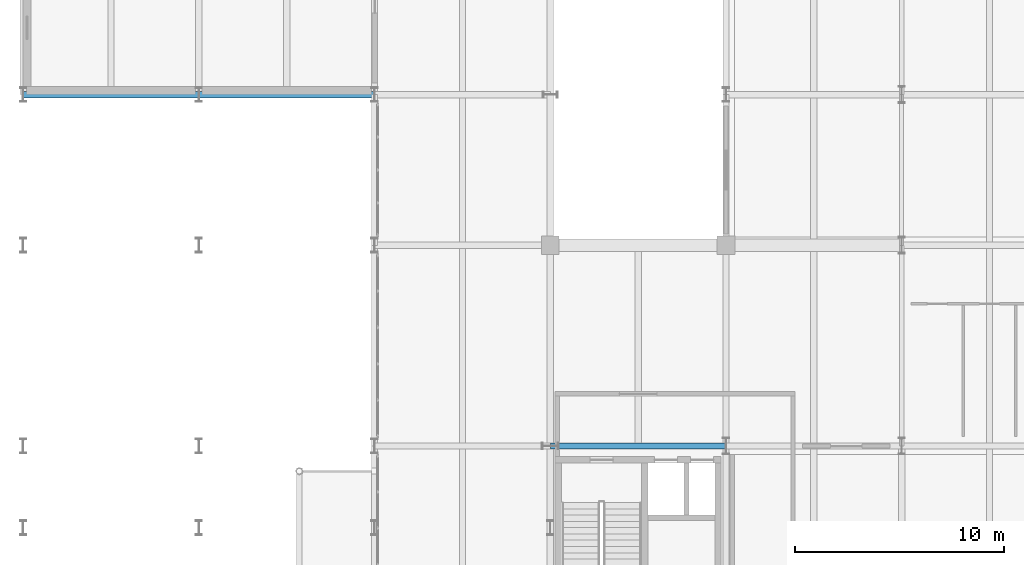
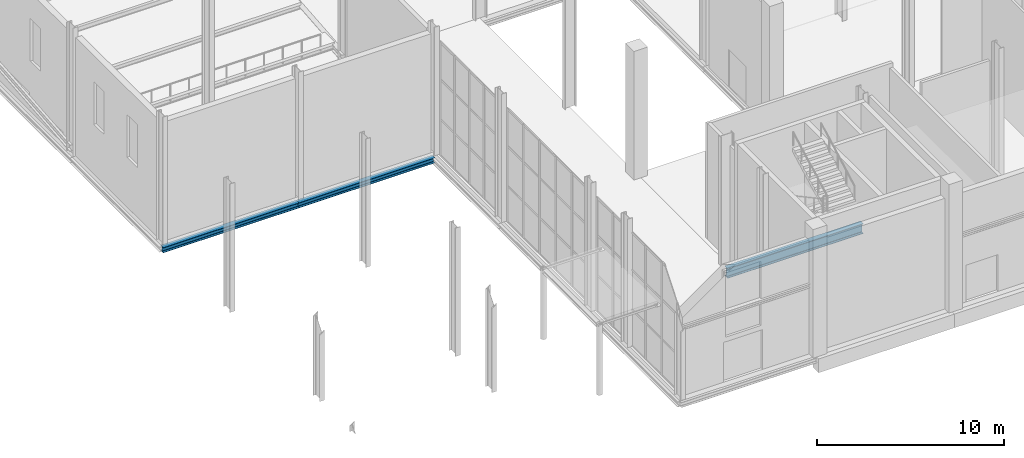
# One storey, part 18 of 131: 3 beams.
"""IFC4 building model written with IfcOpenShell, lengths in metres."""

from ifc_helpers import new_model, si_unit, direction, frame, origin, origin_2d, place, context, subcontext, project, spatial, i_section, extrude, material, material_profile, profile_set, type_object, element, save


model = new_model("IFC4")

# Units and contexts
model_context = context("Model", 3, precision=1e-05, world=origin(), true_north=direction((0.0, 1.0)))
body_context = subcontext(model_context, "Body", "Model", "MODEL_VIEW")
ifc_project = project(units=[si_unit("LENGTHUNIT", "METRE"), si_unit("AREAUNIT", "SQUARE_METRE"), si_unit("VOLUMEUNIT", "CUBIC_METRE"), si_unit("PLANEANGLEUNIT", "RADIAN"), si_unit("MASSUNIT", "GRAM", prefix="KILO")], contexts=[model_context])

# Site, building, storey
site_placement = place(None, origin())
site = spatial("IfcSite", under=ifc_project, at=site_placement, CompositionType="ELEMENT")
building_placement = place(site_placement, origin())
building = spatial("IfcBuilding", under=site, at=building_placement, Name="Veltarok Museum of Natural Sciences", CompositionType="ELEMENT")
storey_placement = place(building_placement, origin())
storey = spatial("IfcBuildingStorey", under=building, at=storey_placement, Name="L00", CompositionType="ELEMENT", Elevation=0.0)

# Beams
ifc_material = material(Name="Steel S355J2", Category="steel")
ifc_material_profile_1 = material_profile(ifc_material, i_section(OverallWidth=0.300048828125, OverallDepth=0.64990234375, WebThickness=0.01611328125, FlangeThickness=0.031005859375, FilletRadius=0.027099609375, at=origin_2d()), Name="HEB 650")
ifc_profile_set_1 = profile_set([ifc_material_profile_1], Name="Steel S355J2")
beam_type_1 = type_object("IfcBeamType", Name="Heavy Spine Girder HEB 650", PredefinedType="BEAM", material=ifc_profile_set_1)
beam_1_placement = place(storey_placement, frame((31.60009765625, 9.60009765625, -0.625), z_axis=(1.0, 0.0, 0.0), x_axis=(0.0, 1.0, 0.0)))
element("IfcBeam", 1, at=beam_1_placement, inside=storey, type_object=beam_type_1, Name="Beam BM-G11 L00 4-5/B", PredefinedType="BEAM", context=body_context, shape_type="SweptSolid", body=[
    extrude(i_section(OverallWidth=0.300048828125, OverallDepth=0.64990234375, WebThickness=0.01611328125, FlangeThickness=0.031005859375, FilletRadius=0.027099609375, at=origin_2d()), origin(), (0.0, 0.0, 1.0), 8.39990234375),
])
ifc_material_profile_2 = material_profile(ifc_material, i_section(OverallWidth=0.300048828125, OverallDepth=0.340087890625, WebThickness=0.011962890625, FlangeThickness=0.021484375, FilletRadius=0.027099609375, at=origin_2d()), Name="HEB 340")
ifc_profile_set_2 = profile_set([ifc_material_profile_2], Name="Steel S355J2")
beam_type_2 = type_object("IfcBeamType", Name="Perimeter Bridge Spandrel HEB 340", PredefinedType="SPANDREL", material=ifc_profile_set_2)
beam_2_placement = place(storey_placement, frame((6.39990234375, 26.39990234375, -0.469970703125), z_axis=(1.0, 0.0, 0.0), x_axis=(0.0, 1.0, 0.0)))
element("IfcBeam", 2, at=beam_2_placement, inside=storey, type_object=beam_type_2, Name="Beam BM-SP07 L00 1-2/D", PredefinedType="SPANDREL", context=body_context, shape_type="SweptSolid", body=[
    extrude(i_section(OverallWidth=0.300048828125, OverallDepth=0.340087890625, WebThickness=0.011962890625, FlangeThickness=0.021484375, FilletRadius=0.027099609375, at=origin_2d()), origin(), (0.0, 0.0, 1.0), 8.400146484375),
])
beam_3_placement = place(storey_placement, frame((14.800048828125, 26.39990234375, -0.469970703125), z_axis=(1.0, 0.0, 0.0), x_axis=(0.0, 1.0, 0.0)))
element("IfcBeam", 3, at=beam_3_placement, inside=storey, type_object=beam_type_2, Name="Beam BM-SP07 L00 2-3/D", PredefinedType="SPANDREL", context=body_context, shape_type="SweptSolid", body=[
    extrude(i_section(OverallWidth=0.300048828125, OverallDepth=0.340087890625, WebThickness=0.011962890625, FlangeThickness=0.021484375, FilletRadius=0.027099609375, at=origin_2d()), origin(), (0.0, 0.0, 1.0), 8.39990234375),
])

save(model, "model.ifc")
